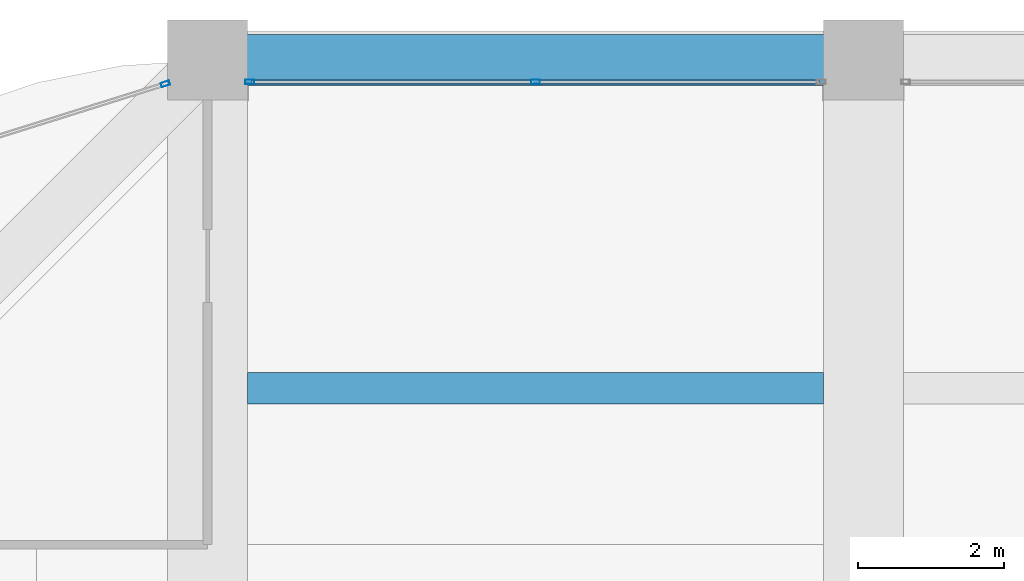
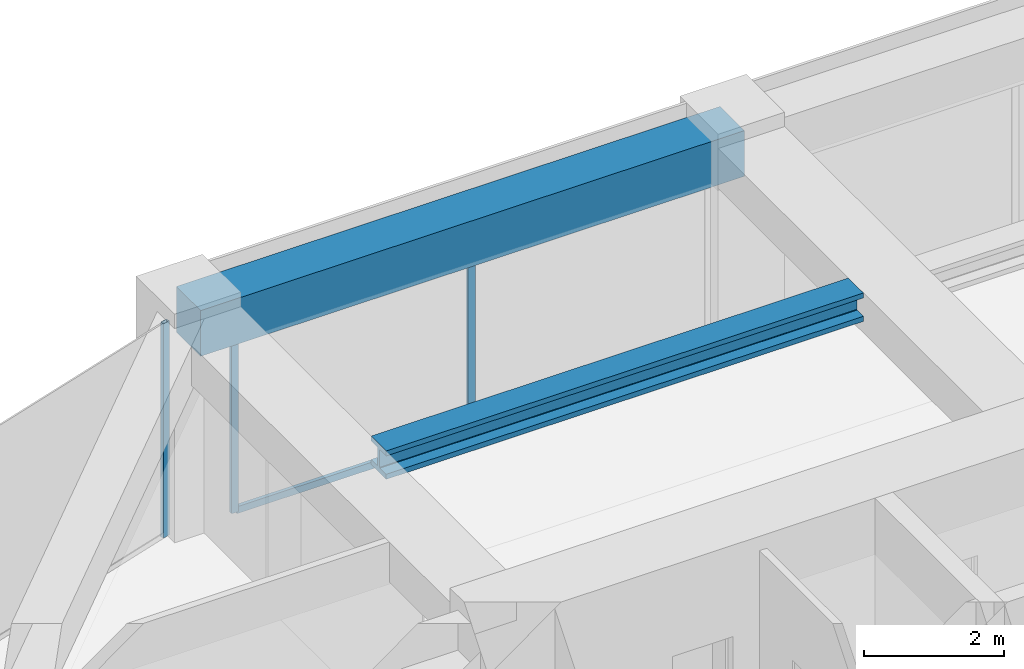
# One storey, part 31 of 44: 4 members, 2 beams, 2 elements without a shape of their own.
"""IFC4 building model written with IfcOpenShell, lengths in metres."""

from ifc_helpers import new_model, si_unit, direction, frame, origin, origin_2d, place, context, subcontext, project, spatial, rectangle, hollow_rectangle, i_section, extrude, material, material_profile, profile_set, type_object, element, aggregate, save


model = new_model("IFC4")

# Units and contexts
model_context = context("Model", 3, precision=1e-05, world=origin(), true_north=direction((0.0, 1.0)))
body_context = subcontext(model_context, "Body", "Model", "MODEL_VIEW")
ifc_project = project(units=[si_unit("LENGTHUNIT", "METRE"), si_unit("AREAUNIT", "SQUARE_METRE"), si_unit("VOLUMEUNIT", "CUBIC_METRE"), si_unit("PLANEANGLEUNIT", "RADIAN"), si_unit("MASSUNIT", "GRAM", prefix="KILO")], contexts=[model_context])

# Site, building, storey
site_placement = place(None, origin())
site = spatial("IfcSite", under=ifc_project, at=site_placement, CompositionType="ELEMENT")
building_placement = place(site_placement, origin())
building = spatial("IfcBuilding", under=site, at=building_placement, Name="Zorevar Civic Tower", CompositionType="ELEMENT")
storey_placement = place(building_placement, frame((0.0, 0.0, 263.39990234375)))
storey = spatial("IfcBuildingStorey", under=building, at=storey_placement, Name="L64", CompositionType="ELEMENT", Elevation=263.39990234375)

# Curtain wall, members
ifc_material_1 = material(Name="Dark grey solar-control glass in black aluminium frame", Category="aluminium")
curtain_wall_type = type_object("IfcCurtainWallType", Name="Curtain wall CW5 top zone", PredefinedType="NOTDEFINED", material=ifc_material_1)
curtain_wall_1_placement = place(storey_placement, origin())
curtain_wall_1 = element("IfcCurtainWall", 1, at=curtain_wall_1_placement, inside=storey, type_object=curtain_wall_type, Name="CW5 L64", PredefinedType="NOTDEFINED")
ifc_material_2 = material(Name="Aluminium, black anodised", Category="aluminium")
ifc_material_profile_1 = material_profile(ifc_material_2, hollow_rectangle(XDim=0.06005859375, YDim=0.1201171875, WallThickness=0.0029296875, at=origin_2d()), Name="AL 120x60x3")
ifc_profile_set_1 = profile_set([ifc_material_profile_1], Name="Aluminium, black anodised")
member_type_1 = type_object("IfcMemberType", Name="CW5 mullion AL 120x60x3", PredefinedType="MULLION", material=ifc_profile_set_1)
member_1_placement = place(storey_placement, frame((18.580078125, 44.699951171875, 0.0), z_axis=(0.0, 0.0, 1.0), x_axis=(0.0, 1.0, 0.0)))
member_1 = element("IfcMember", 2, at=member_1_placement, type_object=member_type_1, Name="CW5 mullion 1", PredefinedType="MULLION", context=body_context, shape_type="SweptSolid", body=[
    extrude(hollow_rectangle(XDim=0.06005859375, YDim=0.1201171875, WallThickness=0.0029296875, at=origin_2d()), origin(), (0.0, 0.0, 1.0), 2.9501953125),
])
member_2_placement = place(storey_placement, frame((22.5, 44.699951171875, 0.06005859375), z_axis=(0.0, 0.0, 1.0), x_axis=(0.0, 1.0, 0.0)))
member_2 = element("IfcMember", 3, at=member_2_placement, type_object=member_type_1, Name="CW5 mullion 2", PredefinedType="MULLION", context=body_context, shape_type="SweptSolid", body=[
    extrude(hollow_rectangle(XDim=0.06005859375, YDim=0.1201171875, WallThickness=0.0029296875, at=origin_2d()), origin(), (0.0, 0.0, 1.0), 2.89013671875),
])

# Curtain wall, member
curtain_wall_2_placement = place(storey_placement, origin())
curtain_wall_2 = element("IfcCurtainWall", 4, at=curtain_wall_2_placement, inside=storey, type_object=curtain_wall_type, Name="CW5 L64", PredefinedType="NOTDEFINED")
member_3_placement = place(storey_placement, frame((17.42138671875, 44.673583984375, 0.0), z_axis=(0.0, 0.0, 1.0), x_axis=(0.299317920238, -0.954153437674, 0.0)))
member_3 = element("IfcMember", 5, at=member_3_placement, type_object=member_type_1, Name="CW5 mullion 1", PredefinedType="MULLION", context=body_context, shape_type="SweptSolid", body=[
    extrude(hollow_rectangle(XDim=0.06005859375, YDim=0.1201171875, WallThickness=0.0029296875, at=origin_2d()), origin(), (0.0, 0.0, 1.0), 3.75),
])
aggregate(curtain_wall_2, [member_3])

# Member
ifc_material_3 = material(Name="Aluminium, black anodised", Category="aluminium")
ifc_material_profile_2 = material_profile(ifc_material_3, hollow_rectangle(XDim=0.06005859375, YDim=0.1201171875, WallThickness=0.0029296875, at=origin_2d()), Name="AL 120x60x3")
ifc_profile_set_2 = profile_set([ifc_material_profile_2], Name="Aluminium, black anodised")
member_type_2 = type_object("IfcMemberType", Name="CW5 transom AL 120x60x3", PredefinedType="USERDEFINED", material=ifc_profile_set_2)
member_4_placement = place(storey_placement, frame((18.610107421875, 44.699951171875, 0.030029296875), z_axis=(1.0, 0.0, 0.0), x_axis=(0.0, 1.0, 0.0)))
member_4 = element("IfcMember", 6, at=member_4_placement, type_object=member_type_2, Name="CW5 sill transom", ObjectType="TRANSOM", PredefinedType="USERDEFINED", context=body_context, shape_type="SweptSolid", body=[
    extrude(hollow_rectangle(XDim=0.06005859375, YDim=0.1201171875, WallThickness=0.0029296875, at=origin_2d()), origin(), (0.0, 0.0, 1.0), 7.77978515625),
])

aggregate(curtain_wall_1, [member_1, member_2, member_4])

# Beams
ifc_material_4 = material(Name="Steel S460M (HISTAR 460)", Category="steel")
ifc_material_profile_3 = material_profile(ifc_material_4, i_section(OverallWidth=0.431884765625, OverallDepth=0.498046875, WebThickness=0.0556640625, FlangeThickness=0.0888671875, FilletRadius=0.014892578125, at=origin_2d()), Name="HD 400x744")
ifc_profile_set_3 = profile_set([ifc_material_profile_3], Name="Steel S460M (HISTAR 460)")
beam_type_1 = type_object("IfcBeamType", Name="Core bay beam HD 400x744", PredefinedType="BEAM", material=ifc_profile_set_3)
beam_1_placement = place(storey_placement, frame((18.550048828125, 40.5, 3.5009765625), z_axis=(1.0, 0.0, 0.0), x_axis=(0.0, 1.0, 0.0)))
element("IfcBeam", 7, at=beam_1_placement, inside=storey, type_object=beam_type_1, Name="Secondary beam L65", PredefinedType="BEAM", context=body_context, shape_type="SweptSolid", body=[
    extrude(i_section(OverallWidth=0.431884765625, OverallDepth=0.498046875, WebThickness=0.0556640625, FlangeThickness=0.0888671875, FilletRadius=0.014892578125, at=origin_2d()), origin(), (0.0, 0.0, 1.0), 7.89990234375),
])
ifc_material_5 = material(Name="Concrete C50/60", Category="concrete")
ifc_material_profile_4 = material_profile(ifc_material_5, rectangle(XDim=0.699951171875, YDim=0.800048828125, at=origin_2d()), Name="RC 700x800")
ifc_profile_set_4 = profile_set([ifc_material_profile_4], Name="Concrete C50/60")
beam_type_2 = type_object("IfcBeamType", Name="Edge beam RC 700x800", PredefinedType="SPANDREL", material=ifc_profile_set_4)
beam_2_placement = place(storey_placement, frame((18.0, 45.0, 3.35009765625), z_axis=(1.0, 0.0, 0.0), x_axis=(0.0, 1.0, 0.0)))
element("IfcBeam", 8, at=beam_2_placement, inside=storey, type_object=beam_type_2, Name="Edge beam L65", PredefinedType="SPANDREL", context=body_context, shape_type="SweptSolid", body=[
    extrude(rectangle(XDim=0.699951171875, YDim=0.800048828125, at=origin_2d()), origin(), (0.0, 0.0, 1.0), 9.0),
])

save(model, "model.ifc")
